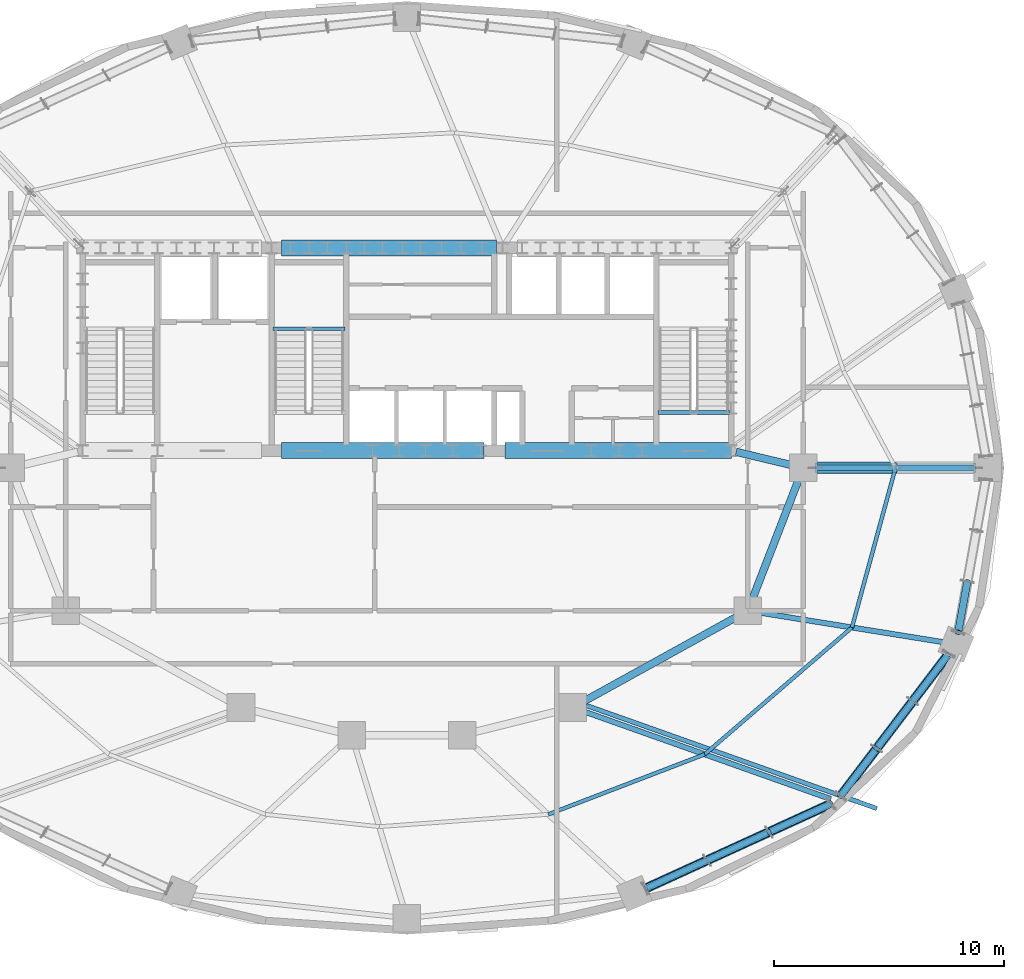
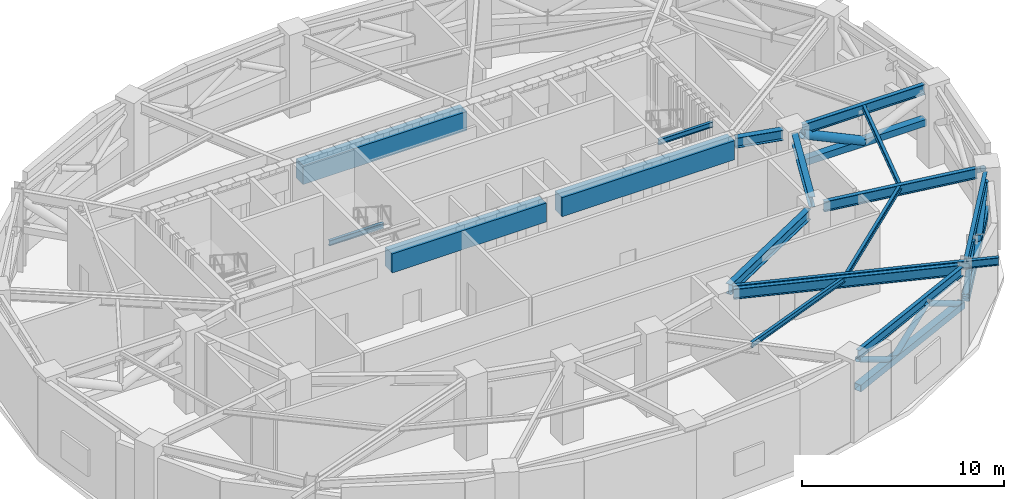
# One storey, part 3 of 17: 17 beams, 11 members.
"""IFC4 building model written with IfcOpenShell, lengths in metres."""

from ifc_helpers import new_model, si_unit, direction, frame, origin, origin_2d, place, context, subcontext, project, spatial, rectangle, hollow_rectangle, hollow_circle, i_section, extrude, material, material_profile, profile_set, type_object, element, save


model = new_model("IFC4")

# Units and contexts
model_context = context("Model", 3, precision=1e-05, world=origin(), true_north=direction((0.0, 1.0)))
body_context = subcontext(model_context, "Body", "Model", "MODEL_VIEW")
ifc_project = project(units=[si_unit("LENGTHUNIT", "METRE"), si_unit("AREAUNIT", "SQUARE_METRE"), si_unit("VOLUMEUNIT", "CUBIC_METRE"), si_unit("PLANEANGLEUNIT", "RADIAN"), si_unit("MASSUNIT", "GRAM", prefix="KILO")], contexts=[model_context])

# Site, building, storey
site_placement = place(None, origin())
site = spatial("IfcSite", under=ifc_project, at=site_placement, CompositionType="ELEMENT")
building_placement = place(site_placement, origin())
building = spatial("IfcBuilding", under=site, at=building_placement, Name="Haldorwick Loom Tower", CompositionType="ELEMENT")
storey_placement = place(building_placement, frame((0.0, 0.0, 149.449951171875)))
storey = spatial("IfcBuildingStorey", under=building, at=storey_placement, Name="L40", CompositionType="ELEMENT", Elevation=149.449951171875)

# Beams
ifc_material_1 = material(Name="Steel CSA G40.21 350W", Category="steel")
ifc_material_profile_1 = material_profile(ifc_material_1, i_section(OverallWidth=0.193115234375, OverallDepth=0.466064453125, WebThickness=0.011474609375, FlangeThickness=0.01904296875, at=origin_2d()), Name="W460X97", Category="steel")
ifc_profile_set_1 = profile_set([ifc_material_profile_1], Name="Steel CSA G40.21 350W")
beam_type_1 = type_object("IfcBeamType", Name="STR-BM-BAL460", PredefinedType="BEAM", material=ifc_profile_set_1)
beam_1_placement = place(storey_placement, frame((43.78369140625, 15.68994140625, 4.527099609375), z_axis=(0.942447955832, -0.334352883266, 0.0), x_axis=(0.334352883266, 0.942447955832, 0.0)))
element("IfcBeam", 1, at=beam_1_placement, inside=storey, type_object=beam_type_1, Name="L40 Continuous Back-Spanned Balcony Beam 1", PredefinedType="BEAM", context=body_context, shape_type="SweptSolid", body=[
    extrude(i_section(OverallWidth=0.193115234375, OverallDepth=0.466064453125, WebThickness=0.011474609375, FlangeThickness=0.01904296875, at=origin_2d()), origin(), (0.0, 0.0, 1.0), 13.385009765625),
])
ifc_material_2 = material(Name="Concrete C60 (60 MPa)", Category="concrete")
ifc_material_profile_2 = material_profile(ifc_material_2, rectangle(XDim=0.699951171875, YDim=1.14990234375, at=origin_2d()), Name="RC700X1150", Category="concrete")
ifc_profile_set_2 = profile_set([ifc_material_profile_2], Name="Concrete C60 (60 MPa)")
beam_type_2 = type_object("IfcBeamType", Name="STR-BM-CB1150", PredefinedType="LINTEL", material=ifc_profile_set_2)
beam_2_placement = place(storey_placement, frame((30.550048828125, 35.550048828125, 4.18505859375), z_axis=(1.0, 0.0, 0.0), x_axis=(0.0, 1.0, 0.0)))
element("IfcBeam", 2, at=beam_2_placement, inside=storey, type_object=beam_type_2, Name="L40 Core Coupling Beam CB-N2", PredefinedType="LINTEL", context=body_context, shape_type="SweptSolid", body=[
    extrude(rectangle(XDim=0.699951171875, YDim=1.14990234375, at=origin_2d()), origin(), (0.0, 0.0, 1.0), 9.349853515625),
])
beam_3_placement = place(storey_placement, frame((30.550048828125, 26.75, 4.18505859375), z_axis=(1.0, 0.0, 0.0), x_axis=(0.0, 1.0, 0.0)))
element("IfcBeam", 3, at=beam_3_placement, inside=storey, type_object=beam_type_2, Name="L40 Core Coupling Beam CB-S2", PredefinedType="LINTEL", context=body_context, shape_type="SweptSolid", body=[
    extrude(rectangle(XDim=0.699951171875, YDim=1.14990234375, at=origin_2d()), origin(), (0.0, 0.0, 1.0), 8.800048828125),
])
beam_4_placement = place(storey_placement, frame((40.25, 26.75, 4.18505859375), z_axis=(1.0, 0.0, 0.0), x_axis=(0.0, 1.0, 0.0)))
element("IfcBeam", 4, at=beam_4_placement, inside=storey, type_object=beam_type_2, Name="L40 Core Coupling Beam CB-S3", PredefinedType="LINTEL", context=body_context, shape_type="SweptSolid", body=[
    extrude(rectangle(XDim=0.699951171875, YDim=1.14990234375, at=origin_2d()), origin(), (0.0, 0.0, 1.0), 9.85009765625),
])
ifc_material_profile_3 = material_profile(ifc_material_1, i_section(OverallWidth=0.166015625, OverallDepth=0.31298828125, WebThickness=0.006591796875, FlangeThickness=0.01123046875, at=origin_2d()), Name="W310X45", Category="steel")
ifc_profile_set_3 = profile_set([ifc_material_profile_3], Name="Steel CSA G40.21 350W")
beam_type_3 = type_object("IfcBeamType", Name="STR-BM-J310", PredefinedType="JOIST", material=ifc_profile_set_3)
beam_5_placement = place(storey_placement, frame((42.13671875, 10.961181640625, 4.603515625), z_axis=(0.933586737031, 0.358351509609, 0.0), x_axis=(-0.358351509609, 0.933586737031, 0.0)))
element("IfcBeam", 5, at=beam_5_placement, inside=storey, type_object=beam_type_3, Name="L40 Mid-Bay Secondary Joist 14", PredefinedType="JOIST", context=body_context, shape_type="SweptSolid", body=[
    extrude(i_section(OverallWidth=0.166015625, OverallDepth=0.31298828125, WebThickness=0.006591796875, FlangeThickness=0.01123046875, at=origin_2d()), origin(), (0.0, 0.0, 1.0), 7.274169921875),
])
beam_6_placement = place(storey_placement, frame((48.927734375, 13.56787109375, 4.603515625), z_axis=(0.75763401328, 0.652679631918, 0.0), x_axis=(-0.652679631918, 0.75763401328, 0.0)))
element("IfcBeam", 6, at=beam_6_placement, inside=storey, type_object=beam_type_3, Name="L40 Mid-Bay Secondary Joist 15", PredefinedType="JOIST", context=body_context, shape_type="SweptSolid", body=[
    extrude(i_section(OverallWidth=0.166015625, OverallDepth=0.31298828125, WebThickness=0.006591796875, FlangeThickness=0.01123046875, at=origin_2d()), origin(), (0.0, 0.0, 1.0), 8.4345703125),
])
beam_7_placement = place(storey_placement, frame((55.318115234375, 19.072998046875, 4.603515625), z_axis=(0.263272762578, 0.964721437766, 0.0), x_axis=(-0.964721437766, 0.263272762578, 0.0)))
element("IfcBeam", 7, at=beam_7_placement, inside=storey, type_object=beam_type_3, Name="L40 Mid-Bay Secondary Joist 16", PredefinedType="JOIST", context=body_context, shape_type="SweptSolid", body=[
    extrude(i_section(OverallWidth=0.166015625, OverallDepth=0.31298828125, WebThickness=0.006591796875, FlangeThickness=0.01123046875, at=origin_2d()), origin(), (0.0, 0.0, 1.0), 7.180419921875),
])
ifc_material_profile_4 = material_profile(ifc_material_1, i_section(OverallWidth=0.2119140625, OverallDepth=0.5439453125, WebThickness=0.01318359375, FlangeThickness=0.021240234375, at=origin_2d()), Name="W530X123", Category="steel")
ifc_profile_set_4 = profile_set([ifc_material_profile_4], Name="Steel CSA G40.21 350W")
beam_type_4 = type_object("IfcBeamType", Name="STR-BM-SP530", PredefinedType="SPANDREL", material=ifc_profile_set_4)
beam_8_placement = place(storey_placement, frame((46.34619140625, 7.738525390625, 4.488037109375), z_axis=(0.909534296496, 0.415628877121, 0.0), x_axis=(-0.415628877121, 0.909534296496, 0.0)))
element("IfcBeam", 8, at=beam_8_placement, inside=storey, type_object=beam_type_4, Name="L40 Perimeter Spandrel 14", PredefinedType="SPANDREL", context=body_context, shape_type="SweptSolid", body=[
    extrude(i_section(OverallWidth=0.2119140625, OverallDepth=0.5439453125, WebThickness=0.01318359375, FlangeThickness=0.021240234375, at=origin_2d()), origin(), (0.0, 0.0, 1.0), 8.86083984375),
])
beam_9_placement = place(storey_placement, frame((54.822021484375, 11.754638671875, 4.488037109375), z_axis=(0.605421356486, 0.795905133236, 0.0), x_axis=(-0.795905133236, 0.605421356486, 0.0)))
element("IfcBeam", 9, at=beam_9_placement, inside=storey, type_object=beam_type_4, Name="L40 Perimeter Spandrel 15", PredefinedType="SPANDREL", context=body_context, shape_type="SweptSolid", body=[
    extrude(i_section(OverallWidth=0.2119140625, OverallDepth=0.5439453125, WebThickness=0.01318359375, FlangeThickness=0.021240234375, at=origin_2d()), origin(), (0.0, 0.0, 1.0), 7.761962890625),
])
ifc_material_profile_5 = material_profile(ifc_material_1, i_section(OverallWidth=0.166015625, OverallDepth=0.31298828125, WebThickness=0.006591796875, FlangeThickness=0.01123046875, at=origin_2d()), Name="W310X45", Category="steel")
ifc_profile_set_5 = profile_set([ifc_material_profile_5], Name="Steel CSA G40.21 350W")
beam_type_5 = type_object("IfcBeamType", Name="STR-BM-STRM", PredefinedType="BEAM", material=ifc_profile_set_5)
for number, where, z_axis, x_axis, name in (
    (10, (46.889892578125, 28.39990234375, 4.603515625), (1.0, 0.0, 0.0), (0.0, 1.0, 0.0), "L40 Stair ST-02 Landing Edge Trimmer"),
    (11, (30.18994140625, 32.0400390625, 2.1435546875), (1.0, 0.0, 0.0), (0.0, 1.0, 0.0), "L40 Stair ST-03 Half-Landing Trimmer 1"),
):
    element("IfcBeam", number, at=place(storey_placement, frame(where, z_axis=z_axis, x_axis=x_axis)), inside=storey, type_object=beam_type_5, Name=name, PredefinedType="BEAM", context=body_context, shape_type="SweptSolid", body=[
        extrude(i_section(OverallWidth=0.166015625, OverallDepth=0.31298828125, WebThickness=0.006591796875, FlangeThickness=0.01123046875, at=origin_2d()), origin(), (0.0, 0.0, 1.0), 3.1201171875),
    ])
ifc_material_profile_6 = material_profile(ifc_material_1, i_section(OverallWidth=0.324951171875, OverallDepth=0.615966796875, WebThickness=0.013916015625, FlangeThickness=0.021484375, at=origin_2d()), Name="W610X174", Category="steel")
ifc_profile_set_6 = profile_set([ifc_material_profile_6], Name="Steel CSA G40.21 350W")
beam_type_6 = type_object("IfcBeamType", Name="STR-BM-W610A", PredefinedType="BEAM", material=ifc_profile_set_6)
beam_10_placement = place(storey_placement, frame((50.288818359375, 26.697509765625, 4.4521484375), z_axis=(0.97247055837, -0.233025777764, 0.0), x_axis=(0.233025777764, 0.97247055837, 0.0)))
element("IfcBeam", 12, at=beam_10_placement, inside=storey, type_object=beam_type_6, Name="L40 Inner Ring Girder 1", PredefinedType="BEAM", context=body_context, shape_type="SweptSolid", body=[
    extrude(i_section(OverallWidth=0.324951171875, OverallDepth=0.615966796875, WebThickness=0.013916015625, FlangeThickness=0.021484375, at=origin_2d()), origin(), (0.0, 0.0, 1.0), 2.4736328125),
])
beam_11_placement = place(storey_placement, frame((53.01220703125, 25.51513671875, 4.4521484375), z_axis=(-0.360964792353, -0.93257944363, 0.0), x_axis=(0.93257944363, -0.360964792353, 0.0)))
element("IfcBeam", 13, at=beam_11_placement, inside=storey, type_object=beam_type_6, Name="L40 Inner Ring Girder 2", PredefinedType="BEAM", context=body_context, shape_type="SweptSolid", body=[
    extrude(i_section(OverallWidth=0.324951171875, OverallDepth=0.615966796875, WebThickness=0.013916015625, FlangeThickness=0.021484375, at=origin_2d()), origin(), (0.0, 0.0, 1.0), 5.6083984375),
])
beam_12_placement = place(storey_placement, frame((50.344970703125, 19.548583984375, 4.4521484375), z_axis=(-0.875244382146, -0.483680960471, 0.0), x_axis=(0.483680960471, -0.875244382146, 0.0)))
element("IfcBeam", 14, at=beam_12_placement, inside=storey, type_object=beam_type_6, Name="L40 Inner Ring Girder 3", PredefinedType="BEAM", context=body_context, shape_type="SweptSolid", body=[
    extrude(i_section(OverallWidth=0.324951171875, OverallDepth=0.615966796875, WebThickness=0.013916015625, FlangeThickness=0.021484375, at=origin_2d()), origin(), (0.0, 0.0, 1.0), 7.6435546875),
])
ifc_material_profile_7 = material_profile(ifc_material_1, i_section(OverallWidth=0.22998046875, OverallDepth=0.616943359375, WebThickness=0.01318359375, FlangeThickness=0.022216796875, at=origin_2d()), Name="W610X140", Category="steel")
ifc_profile_set_7 = profile_set([ifc_material_profile_7], Name="Steel CSA G40.21 350W")
beam_type_7 = type_object("IfcBeamType", Name="STR-BM-W610B", PredefinedType="BEAM", material=ifc_profile_set_7)
beam_13_placement = place(storey_placement, frame((53.719970703125, 26.0, 4.45166015625), z_axis=(1.0, 0.0, 0.0), x_axis=(0.0, 1.0, 0.0)))
element("IfcBeam", 15, at=beam_13_placement, inside=storey, type_object=beam_type_7, Name="L40 Radial Floor Girder 1", PredefinedType="BEAM", context=body_context, shape_type="SweptSolid", body=[
    extrude(i_section(OverallWidth=0.22998046875, OverallDepth=0.616943359375, WebThickness=0.01318359375, FlangeThickness=0.022216796875, at=origin_2d()), origin(), (0.0, 0.0, 1.0), 6.97705078125),
])
beam_14_placement = place(storey_placement, frame((43.690185546875, 15.426025390625, 4.45166015625), z_axis=(0.9424463153, -0.334357507433, 0.0), x_axis=(0.334357507433, 0.9424463153, 0.0)))
element("IfcBeam", 16, at=beam_14_placement, inside=storey, type_object=beam_type_7, Name="L40 Radial Floor Girder 15", PredefinedType="BEAM", context=body_context, shape_type="SweptSolid", body=[
    extrude(i_section(OverallWidth=0.22998046875, OverallDepth=0.616943359375, WebThickness=0.01318359375, FlangeThickness=0.022216796875, at=origin_2d()), origin(), (0.0, 0.0, 1.0), 11.360107421875),
])
beam_15_placement = place(storey_placement, frame((51.3134765625, 19.71728515625, 4.45166015625), z_axis=(0.987308639475, -0.158813256432, 0.0), x_axis=(0.158813256432, 0.987308639475, 0.0)))
element("IfcBeam", 17, at=beam_15_placement, inside=storey, type_object=beam_type_7, Name="L40 Radial Floor Girder 16", PredefinedType="BEAM", context=body_context, shape_type="SweptSolid", body=[
    extrude(i_section(OverallWidth=0.22998046875, OverallDepth=0.616943359375, WebThickness=0.01318359375, FlangeThickness=0.022216796875, at=origin_2d()), origin(), (0.0, 0.0, 1.0), 8.1123046875),
])

# Members
ifc_material_profile_8 = material_profile(ifc_material_1, hollow_circle(Radius=0.161865234375, WallThickness=0.0126953125, at=origin_2d()), Name="HSS324X13", Category="steel")
ifc_profile_set_8 = profile_set([ifc_material_profile_8], Name="Steel CSA G40.21 350W")
member_type_1 = type_object("IfcMemberType", Name="STR-MEM-BR324C", PredefinedType="BRACE", material=ifc_profile_set_8)
member_1_placement = place(storey_placement, frame((46.34619140625, 7.738525390625, 4.216064453125), z_axis=(0.786430050065, 0.359410825316, -0.502346130671), x_axis=(-0.415664045194, 0.909518224959, 0.0)))
element("IfcMember", 18, at=member_1_placement, inside=storey, type_object=member_type_1, Name="L40 Perimeter Belt Truss Web Diagonal 14-1", PredefinedType="BRACE", context=body_context, shape_type="SweptSolid", body=[
    extrude(hollow_circle(Radius=0.161865234375, WallThickness=0.0126953125, at=origin_2d()), origin(), (0.0, 0.0, 1.0), 3.416015625),
])
member_2_placement = place(storey_placement, frame((49.03271484375, 8.96630859375, 2.5), z_axis=(0.786422981649, 0.359368785943, 0.502387270564), x_axis=(-0.415626915396, 0.909535192941, 0.0)))
element("IfcMember", 19, at=member_2_placement, inside=storey, type_object=member_type_1, Name="L40 Perimeter Belt Truss Web Diagonal 14-2", PredefinedType="BRACE", context=body_context, shape_type="SweptSolid", body=[
    extrude(hollow_circle(Radius=0.161865234375, WallThickness=0.0126953125, at=origin_2d()), origin(), (0.0, 0.0, 1.0), 3.415771484375),
])
member_3_placement = place(storey_placement, frame((51.718994140625, 10.19384765625, 4.216064453125), z_axis=(0.786450249272, 0.359348587181, -0.502359033273), x_axis=(-0.415595668828, 0.90954947092, 0.0)))
element("IfcMember", 20, at=member_3_placement, inside=storey, type_object=member_type_1, Name="L40 Perimeter Belt Truss Web Diagonal 14-3", PredefinedType="BRACE", context=body_context, shape_type="SweptSolid", body=[
    extrude(hollow_circle(Radius=0.161865234375, WallThickness=0.0126953125, at=origin_2d()), origin(), (0.0, 0.0, 1.0), 3.416015625),
])
for number, where, z_axis, x_axis, name in (
    (21, (54.822021484375, 11.754638671875, 2.5), (0.504523015018, 0.663287349076, 0.552726351708), (-0.795916661695, 0.605406200526, 0.0), "L40 Perimeter Belt Truss Web Diagonal 15-1"),
    (22, (56.388427734375, 13.81396484375, 4.216064453125), (0.504523015018, 0.663287349076, -0.552726351708), (-0.795916661695, 0.605406200526, 0.0), "L40 Perimeter Belt Truss Web Diagonal 15-2"),
):
    element("IfcMember", number, at=place(storey_placement, frame(where, z_axis=z_axis, x_axis=x_axis)), inside=storey, type_object=member_type_1, Name=name, PredefinedType="BRACE", context=body_context, shape_type="SweptSolid", body=[
        extrude(hollow_circle(Radius=0.161865234375, WallThickness=0.0126953125, at=origin_2d()), origin(), (0.0, 0.0, 1.0), 3.104736328125),
    ])
member_4_placement = place(storey_placement, frame((57.954833984375, 15.873291015625, 2.5), z_axis=(0.504549330271, 0.663243306033, 0.552755181184), x_axis=(-0.795882073718, 0.605451670023, 0.0)))
element("IfcMember", 23, at=member_4_placement, inside=storey, type_object=member_type_1, Name="L40 Perimeter Belt Truss Web Diagonal 15-3", PredefinedType="BRACE", context=body_context, shape_type="SweptSolid", body=[
    extrude(hollow_circle(Radius=0.161865234375, WallThickness=0.0126953125, at=origin_2d()), origin(), (0.0, 0.0, 1.0), 3.1044921875),
])
member_5_placement = place(storey_placement, frame((59.928466796875, 18.85791015625, 4.216064453125), z_axis=(0.14105374678, 0.781971567423, -0.607144388315), x_axis=(-0.984117679003, 0.177517305845, 0.0)))
element("IfcMember", 24, at=member_5_placement, inside=storey, type_object=member_type_1, Name="L40 Perimeter Belt Truss Web Diagonal 16-1", PredefinedType="BRACE", context=body_context, shape_type="SweptSolid", body=[
    extrude(hollow_circle(Radius=0.161865234375, WallThickness=0.0126953125, at=origin_2d()), origin(), (0.0, 0.0, 1.0), 2.826416015625),
])
ifc_material_profile_9 = material_profile(ifc_material_1, hollow_circle(Radius=0.25390625, WallThickness=0.015869140625, at=origin_2d()), Name="HSS508X16", Category="steel")
ifc_profile_set_9 = profile_set([ifc_material_profile_9], Name="Steel CSA G40.21 350W")
member_type_2 = type_object("IfcMemberType", Name="STR-MEM-BR508", PredefinedType="BRACE", material=ifc_profile_set_9)
member_6_placement = place(storey_placement, frame((53.719970703125, 26.0, 4.14306640625), z_axis=(0.904678037241, 0.0, -0.426095821305), x_axis=(0.0, 1.0, 0.0)))
element("IfcMember", 25, at=member_6_placement, inside=storey, type_object=member_type_2, Name="L40 Outrigger OT-E Inner Diagonal", PredefinedType="BRACE", context=body_context, shape_type="SweptSolid", body=[
    extrude(hollow_circle(Radius=0.25390625, WallThickness=0.015869140625, at=origin_2d()), origin(), (0.0, 0.0, 1.0), 3.856201171875),
])
ifc_material_profile_10 = material_profile(ifc_material_1, hollow_rectangle(XDim=0.406494140625, YDim=0.406494140625, WallThickness=0.015869140625, at=origin_2d()), Name="HSS406X406X16", Category="steel")
ifc_profile_set_10 = profile_set([ifc_material_profile_10], Name="Steel CSA G40.21 350W")
member_type_3 = type_object("IfcMemberType", Name="STR-MEM-CH406", PredefinedType="CHORD", material=ifc_profile_set_10)
member_7_placement = place(storey_placement, frame((46.34619140625, 7.738525390625, 2.5), z_axis=(0.909534296496, 0.415628877121, 0.0), x_axis=(-0.415628877121, 0.909534296496, 0.0)))
element("IfcMember", 26, at=member_7_placement, inside=storey, type_object=member_type_3, Name="L40 Perimeter Belt Truss Bottom Chord 14", PredefinedType="CHORD", context=body_context, shape_type="SweptSolid", body=[
    extrude(hollow_rectangle(XDim=0.406494140625, YDim=0.406494140625, WallThickness=0.015869140625, at=origin_2d()), origin(), (0.0, 0.0, 1.0), 8.86083984375),
])
member_8_placement = place(storey_placement, frame((54.822021484375, 11.754638671875, 2.5), z_axis=(0.605421356486, 0.795905133236, 0.0), x_axis=(-0.795905133236, 0.605421356486, 0.0)))
element("IfcMember", 27, at=member_8_placement, inside=storey, type_object=member_type_3, Name="L40 Perimeter Belt Truss Bottom Chord 15", PredefinedType="CHORD", context=body_context, shape_type="SweptSolid", body=[
    extrude(hollow_rectangle(XDim=0.406494140625, YDim=0.406494140625, WallThickness=0.015869140625, at=origin_2d()), origin(), (0.0, 0.0, 1.0), 7.761962890625),
])
member_9_placement = place(storey_placement, frame((53.719970703125, 26.0, 2.5), z_axis=(1.0, 0.0, 0.0), x_axis=(0.0, 1.0, 0.0)))
element("IfcMember", 28, at=member_9_placement, inside=storey, type_object=member_type_3, Name="L40 Outrigger OT-E Bottom Chord", PredefinedType="CHORD", context=body_context, shape_type="SweptSolid", body=[
    extrude(hollow_rectangle(XDim=0.406494140625, YDim=0.406494140625, WallThickness=0.015869140625, at=origin_2d()), origin(), (0.0, 0.0, 1.0), 6.97705078125),
])

save(model, "model.ifc")
